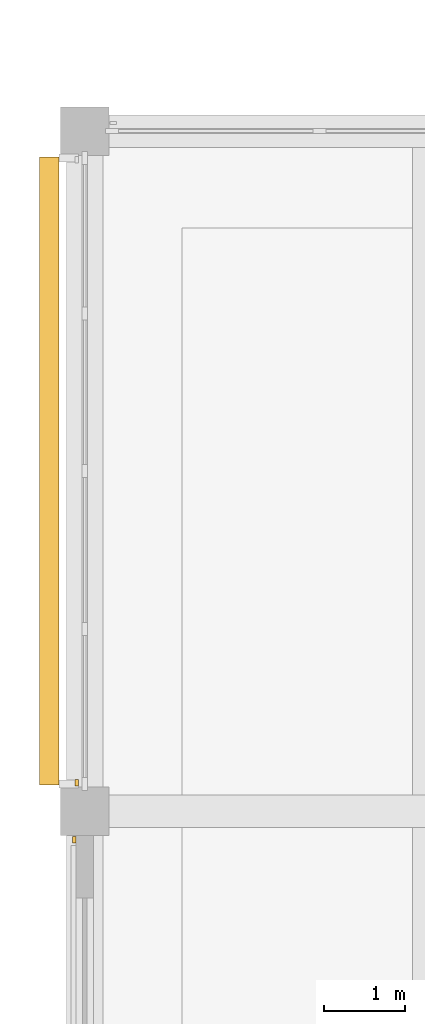
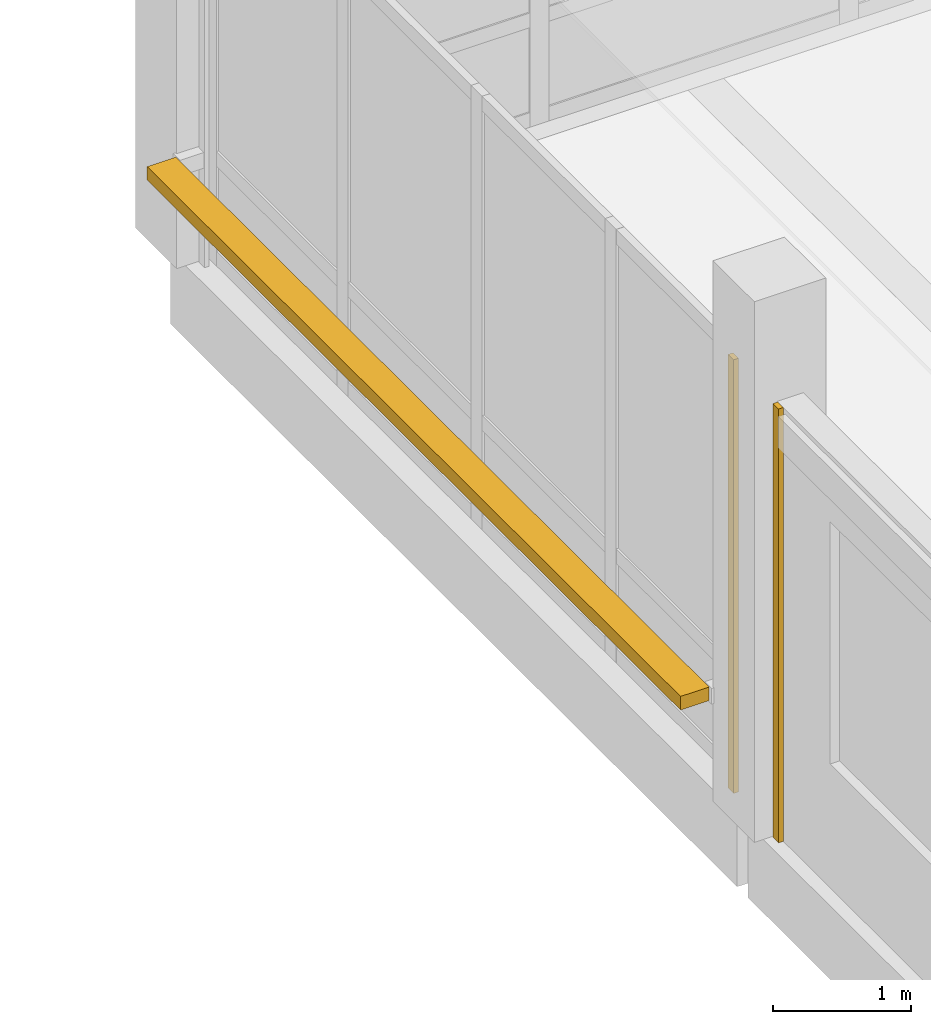
# One storey, part 102 of 122: 2 coverings, 1 shading device.
"""IFC4 building model written with IfcOpenShell, lengths in metres."""

from ifc_helpers import new_model, si_unit, direction, frame, origin, origin_2d, place, context, subcontext, project, spatial, rectangle, extrude, material, layer, layer_set, type_object, element, save


model = new_model("IFC4")

# Units and contexts
model_context = context("Model", 3, precision=1e-05, world=origin(), true_north=direction((0.0, 1.0)))
body_context = subcontext(model_context, "Body", "Model", "MODEL_VIEW")
ifc_project = project(units=[si_unit("LENGTHUNIT", "METRE"), si_unit("AREAUNIT", "SQUARE_METRE"), si_unit("VOLUMEUNIT", "CUBIC_METRE"), si_unit("PLANEANGLEUNIT", "RADIAN"), si_unit("MASSUNIT", "GRAM", prefix="KILO")], contexts=[model_context])

# Site, building, storey
site_placement = place(None, origin())
site = spatial("IfcSite", under=ifc_project, at=site_placement, CompositionType="ELEMENT")
building_placement = place(site_placement, origin())
building = spatial("IfcBuilding", under=site, at=building_placement, Name="Telukmera Botanical Conservatory", CompositionType="ELEMENT")
storey_placement = place(building_placement, frame((0.0, 0.0, 10.199951171875)))
storey = spatial("IfcBuildingStorey", under=building, at=storey_placement, Name="L02", CompositionType="ELEMENT", Elevation=10.199951171875)

# Coverings
ifc_material_1 = material(Name="Granite-faced precast concrete C40/50", Category="masonry")
ifc_layer_1 = layer(ifc_material_1, 0.0400390625)
ifc_layer_set_1 = layer_set([ifc_layer_1], Name="Granite-faced precast concrete C40/50")
covering_type = type_object("IfcCoveringType", Name="Granite Precast Column Pier Reveal Casing", PredefinedType="CLADDING", material=ifc_layer_set_1)
for number, where, z_axis, x_axis, name in (
    (1, (8.27001953125, 66.048095703125, 0.0), (0.0, 0.0, 1.0), (0.0, 1.0, 0.0), "Granite Pier Reveal V3:L02:W6B R"),
    (2, (8.300048828125, 66.751953125, 0.0), (0.0, 0.0, 1.0), (0.0, 1.0, 0.0), "Granite Pier Reveal V3:L02:W7 L"),
):
    element("IfcCovering", number, at=place(storey_placement, frame(where, z_axis=z_axis, x_axis=x_axis)), inside=storey, type_object=covering_type, Name=name, PredefinedType="CLADDING", context=body_context, shape_type="SweptSolid", body=[
        extrude(rectangle(XDim=0.080078125, YDim=0.0400390625, at=origin_2d()), origin(), (0.0, 0.0, 1.0), 3.85009765625),
    ])

# Shading device
ifc_material_2 = material(Name="Perforated terracotta-anodised aluminium 6063-T6", Category="masonry")
ifc_layer_2 = layer(ifc_material_2, 0.044921875)
ifc_layer_set_2 = layer_set([ifc_layer_2], Name="Perforated terracotta-anodised aluminium 6063-T6")
shading_device_type = type_object("IfcShadingDeviceType", Name="Perforated Terracotta Aluminium Monsoon Brise Soleil", PredefinedType="JALOUSIE", material=ifc_layer_set_2)
shading_device_placement = place(storey_placement, frame((7.9599609375, 70.60009765625, 0.889892578125), z_axis=(0.0, 0.0, 1.0), x_axis=(0.0, 1.0, 0.0)))
element("IfcShadingDevice", 3, at=shading_device_placement, inside=storey, type_object=shading_device_type, Name="Monsoon Shading BS01 V3:L02:W7", PredefinedType="JALOUSIE", context=body_context, shape_type="SweptSolid", body=[
    extrude(rectangle(XDim=7.756103515625, YDim=0.239990234375, at=origin_2d()), origin(), (0.0, 0.0, 1.0), 0.1201171875),
])

save(model, "model.ifc")
